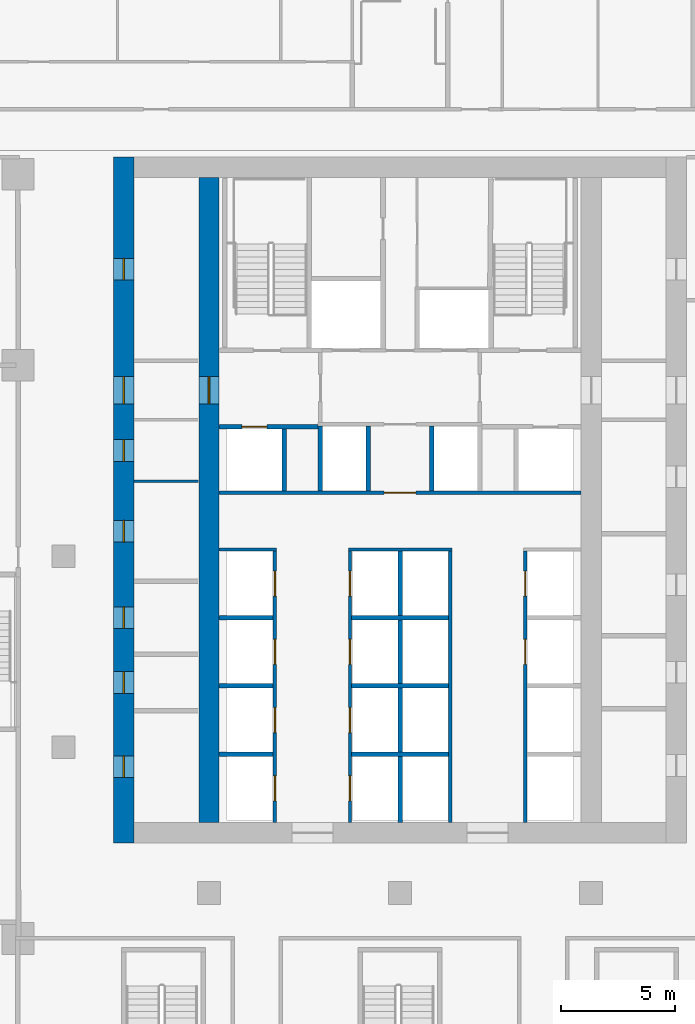
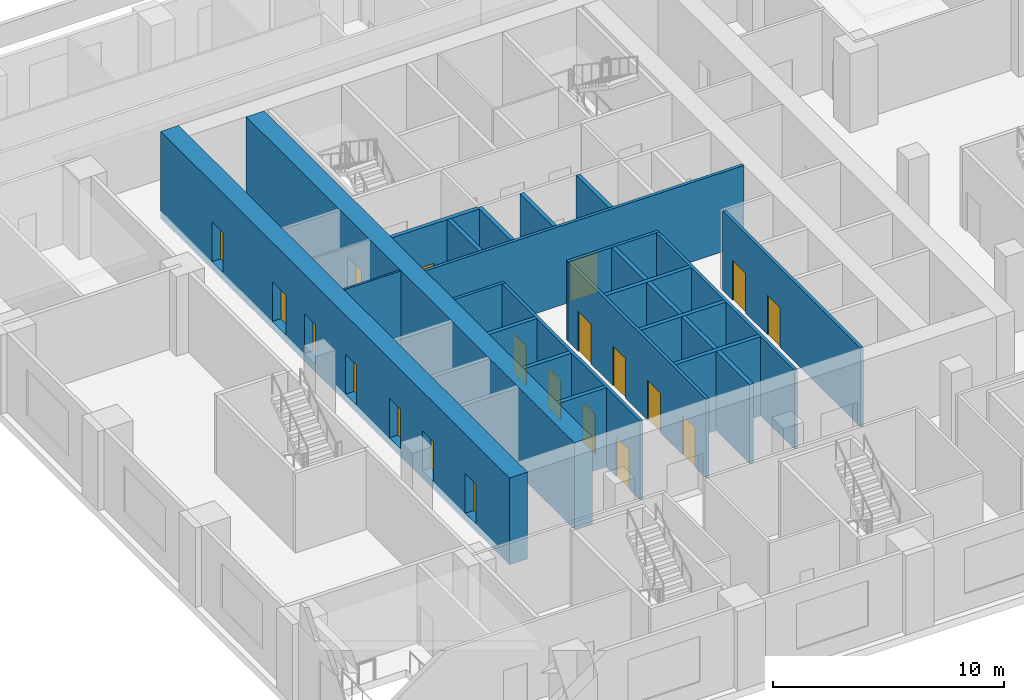
# One storey, part 4 of 16: 22 walls, 20 doors, 20 openings.
"""IFC4 building model written with IfcOpenShell, lengths in metres."""

import ifcopenshell
import ifcopenshell.guid

model = None  # the IFC model being written
_history = None  # IfcOwnerHistory: only IFC2X3 demands one
_inside = {}  # id of a spatial element -> (the spatial element, [elements in it])
_under = {}  # id of a project, library or spatial element -> (it, [spatial elements below it])
_declared = {}  # id of a project -> (the project, [libraries it declares])
_typed = {}  # id of a type object -> (the type object, [elements of that type])
_made_of = {}  # id of a material, layer set ... -> (it, [elements and type objects made of it])


def new_model(schema):
    """Start an empty IFC model of exactly this schema.

    Asked for "IFC4X3", IfcOpenShell would pick the latest addendum, in which some entities
    have other attributes; the version numbers below select the first issue.
    IFC2X3 requires an IfcOwnerHistory on every rooted entity: one is made here for all.
    """
    global model, _history
    if schema == "IFC4X3":
        model = ifcopenshell.file(schema_version=(4, 3, 0, 0))
    else:
        model = ifcopenshell.file(schema=schema)
    _inside.clear()
    _under.clear()
    _declared.clear()
    _typed.clear()
    _made_of.clear()
    _history = None
    if model.schema == "IFC2X3":
        org = make("IfcOrganization", Name="unknown")
        user = make(
            "IfcPersonAndOrganization",
            ThePerson=make("IfcPerson", FamilyName="unknown"),
            TheOrganization=org,
        )
        app = make(
            "IfcApplication",
            ApplicationDeveloper=org,
            Version="unknown",
            ApplicationFullName="unknown",
            ApplicationIdentifier="unknown",
        )
        _history = make(
            "IfcOwnerHistory",
            OwningUser=user,
            OwningApplication=app,
            ChangeAction="ADDED",
            CreationDate=0,
        )
    return model


def make(cls, **values):
    """One entity of the class cls with the attributes given. An attribute that is None is left unset."""
    return model.create_entity(
        cls, **{name: value for name, value in values.items() if value is not None}
    )


def rooted(cls, **values):
    """An entity with a GlobalId (a new one), such as an element, a storey or a relation."""
    return make(cls, GlobalId=ifcopenshell.guid.new(), OwnerHistory=_history, **values)


def si_unit(unit_type, name, prefix=None):
    """IfcSIUnit, for example si_unit("LENGTHUNIT", "METRE", prefix="MILLI")."""
    return make("IfcSIUnit", UnitType=unit_type, Prefix=prefix, Name=name)


def assignment(units):
    """IfcUnitAssignment: the units of a project."""
    return None if units is None else make("IfcUnitAssignment", Units=units)


def point(xyz):
    """IfcCartesianPoint."""
    return None if xyz is None else make("IfcCartesianPoint", Coordinates=xyz)


def direction(xyz):
    """IfcDirection."""
    return None if xyz is None else make("IfcDirection", DirectionRatios=xyz)


def frame(location, z_axis=None, x_axis=None):
    """IfcAxis2Placement3D, a coordinate frame: its origin and axes. An axis left out is left unset."""
    return make(
        "IfcAxis2Placement3D",
        Location=point(location),
        Axis=direction(z_axis),
        RefDirection=direction(x_axis),
    )


def frame_2d(location, x_axis=None):
    """IfcAxis2Placement2D, a coordinate frame in the plane: its origin and x axis."""
    return make(
        "IfcAxis2Placement2D", Location=point(location), RefDirection=direction(x_axis)
    )


def origin():
    """The frame at (0, 0, 0) with its axes left unset."""
    return frame((0.0, 0.0, 0.0))


def place(relative_to, where):
    """IfcLocalPlacement: puts the frame where relative to a parent placement (None: the world)."""
    return make(
        "IfcLocalPlacement", PlacementRelTo=relative_to, RelativePlacement=where
    )


def context(
    kind, dimensions, precision=None, world=None, true_north=None, identifier=None
):
    """IfcGeometricRepresentationContext, for example the 3D "Model" context."""
    return make(
        "IfcGeometricRepresentationContext",
        ContextIdentifier=identifier,
        ContextType=kind,
        CoordinateSpaceDimension=dimensions,
        Precision=precision,
        WorldCoordinateSystem=world,
        TrueNorth=true_north,
    )


def subcontext(parent, identifier, kind, view, scale=None):
    """IfcGeometricRepresentationSubContext, for example "Body" below "Model"."""
    return make(
        "IfcGeometricRepresentationSubContext",
        ContextIdentifier=identifier,
        ContextType=kind,
        ParentContext=parent,
        TargetScale=scale,
        TargetView=view,
    )


def project(units=None, contexts=None):
    """IfcProject with its units and contexts."""
    return rooted(
        "IfcProject",
        Name="project",
        RepresentationContexts=contexts,
        UnitsInContext=assignment(units),
    )


def spatial(cls, under=None, at=None, **own):
    """A site, building, storey or space (cls), placed at a placement, below another one or the project."""
    s = rooted(cls, ObjectPlacement=at, **own)
    if under is not None:
        _under.setdefault(under.id(), (under, []))[1].append(s)
    return s


def profile(cls, at=None, kind="AREA", **sizes):
    """A parametric profile (cls). Its sizes go by their IFC names, for example OverallWidth=200.0."""
    return make(cls, ProfileType=kind, Position=at, **sizes)


def rectangle(**sizes):
    """IfcRectangleProfileDef."""
    return profile("IfcRectangleProfileDef", **sizes)


def extrude(swept, where, along, depth):
    """IfcExtrudedAreaSolid: the profile swept, set in the frame where, extruded along a direction by depth."""
    return make(
        "IfcExtrudedAreaSolid",
        SweptArea=swept,
        Position=where,
        ExtrudedDirection=direction(along),
        Depth=depth,
    )


def shape(context_of_items, identifier, shape_type, items):
    """IfcShapeRepresentation: the items that make up one representation, for example the "Body"."""
    return make(
        "IfcShapeRepresentation",
        ContextOfItems=context_of_items,
        RepresentationIdentifier=identifier,
        RepresentationType=shape_type,
        Items=items,
    )


def material(Name=None, Category=None):
    """IfcMaterial."""
    return make("IfcMaterial", Name=Name, Category=Category)


def layer(
    of_material, thickness, ventilated=None, Name=None, Category=None, Priority=None
):
    """IfcMaterialLayer: one layer of a wall or slab, of a material (None: an air gap)."""
    return make(
        "IfcMaterialLayer",
        Material=of_material,
        LayerThickness=thickness,
        IsVentilated=ventilated,
        Name=Name,
        Category=Category,
        Priority=Priority,
    )


def layer_set(layers, Name=None):
    """IfcMaterialLayerSet."""
    return make("IfcMaterialLayerSet", MaterialLayers=layers, LayerSetName=Name)


def made_of(thing, what):
    """Note that an element or type object is made of a material, layer set ...; save() writes the relation."""
    if what is not None:
        _made_of.setdefault(what.id(), (what, []))[1].append(thing)
    return thing


def type_object(cls, material=None, **own):
    """A type object (cls), such as IfcWallType, which elements share."""
    return made_of(rooted(cls, **own), material)


def element(
    cls,
    number,
    at=None,
    inside=None,
    cuts=None,
    type_object=None,
    material=None,
    context=None,
    identifier="Body",
    shape_type=None,
    held_by="IfcProductDefinitionShape",
    body=None,
    shapes=None,
    **own,
):
    """One element of the class cls, such as IfcWall. Its Tag is "e" and its number.

    at: its placement. inside: the storey or other place that contains it. cuts: it is an
    opening in that element (IfcRelVoidsElement). A single representation is given by context,
    identifier, shape_type and body (its items); several are given by shapes. held_by: the class
    of the entity that holds the representations. save() writes the other relations.
    """
    e = rooted(cls, Tag="e%d" % number, ObjectPlacement=at, **own)
    if body is not None:
        shapes = [shape(context, identifier, shape_type, body)]
    if shapes is not None:
        e.Representation = make(held_by, Representations=shapes)
    if inside is not None:
        _inside.setdefault(inside.id(), (inside, []))[1].append(e)
    if cuts is not None:
        rooted(
            "IfcRelVoidsElement", RelatingBuildingElement=cuts, RelatedOpeningElement=e
        )
    if type_object is not None:
        _typed.setdefault(type_object.id(), (type_object, []))[1].append(e)
    return made_of(e, material)


def fill(opening, filler):
    """IfcRelFillsElement: the door or window that sits in an opening."""
    return rooted(
        "IfcRelFillsElement",
        RelatingOpeningElement=opening,
        RelatedBuildingElement=filler,
    )


def aggregate(whole, parts):
    """IfcRelAggregates: a whole, such as a stair, and the parts it consists of."""
    return rooted("IfcRelAggregates", RelatingObject=whole, RelatedObjects=parts)


def save(model, path):
    """Write the relations noted so far, then the file.

    IfcRelAggregates (storeys below a building ...), IfcRelContainedInSpatialStructure (elements
    in a storey), IfcRelDefinesByType, IfcRelAssociatesMaterial and IfcRelDeclares: one each for
    every whole, place, type object, material and project.
    """
    for whole, parts in _under.values():
        aggregate(whole, parts)
    for where, things in _inside.values():
        rooted(
            "IfcRelContainedInSpatialStructure",
            RelatedElements=things,
            RelatingStructure=where,
        )
    for kind, things in _typed.values():
        rooted("IfcRelDefinesByType", RelatedObjects=things, RelatingType=kind)
    for what, things in _made_of.values():
        rooted("IfcRelAssociatesMaterial", RelatedObjects=things, RelatingMaterial=what)
    for by, libraries in _declared.values():
        rooted("IfcRelDeclares", RelatingContext=by, RelatedDefinitions=libraries)
    model.write(path)


model = new_model("IFC4")

# Units and contexts
model_context = context("Model", 3, precision=1e-05, world=origin(), true_north=direction((0.0, 1.0)))
body_context = subcontext(model_context, "Body", "Model", "MODEL_VIEW")
ifc_project = project(units=[si_unit("LENGTHUNIT", "METRE"), si_unit("AREAUNIT", "SQUARE_METRE"), si_unit("VOLUMEUNIT", "CUBIC_METRE"), si_unit("PLANEANGLEUNIT", "RADIAN"), si_unit("MASSUNIT", "GRAM", prefix="KILO")], contexts=[model_context])

# Site, building, storey
site_placement = place(None, origin())
site = spatial("IfcSite", under=ifc_project, at=site_placement, CompositionType="ELEMENT")
building_placement = place(site_placement, origin())
building = spatial("IfcBuilding", under=site, at=building_placement, Name="Vermilion Ogive Tower", CompositionType="ELEMENT")
storey_placement = place(building_placement, frame((0.0, 0.0, 30.0)))
storey = spatial("IfcBuildingStorey", under=building, at=storey_placement, Name="L05", CompositionType="ELEMENT", Elevation=30.0)

# Wall, openings, doors
ifc_material_1 = material(Name="Concrete B80", Category="concrete")
ifc_layer_1 = layer(ifc_material_1, 0.89990234375)
ifc_layer_set_1 = layer_set([ifc_layer_1], Name="Core wall 900 B80")
wall_type_1 = type_object("IfcWallType", Name="Core wall 900 B80", PredefinedType="SHEAR", material=ifc_layer_set_1)
wall_1_placement = place(storey_placement, frame((-12.14990234375, -8.39990234375, -0.39990234375), z_axis=(0.0, 0.0, 1.0), x_axis=(0.0, 1.0, 0.0)))
wall_1 = element("IfcWall", 1, at=wall_1_placement, inside=storey, type_object=wall_type_1, Name="L05-CORE-W", PredefinedType="SHEAR", context=body_context, shape_type="SweptSolid", body=[
    extrude(rectangle(XDim=30.14990234375, YDim=0.89990234375, at=frame_2d((15.074951171875, 0.0))), origin(), (0.0, 0.0, 1.0), 4.579833984375),
])
opening_1_placement = place(wall_1_placement, frame((2.875, 0.0, 0.39990234375)))
opening_1 = element("IfcOpeningElement", 2, at=opening_1_placement, cuts=wall_1, Name="Opening DAK028", PredefinedType="OPENING", context=body_context, shape_type="SweptSolid", body=[
    extrude(rectangle(XDim=0.949951171875, YDim=2.10009765625, at=frame_2d((0.47509765625, 1.050048828125))), frame((0.0, 0.4599609375, 0.0), z_axis=(0.0, -1.0, 0.0), x_axis=(1.0, 0.0, 0.0)), (0.0, 0.0, 1.0), 0.919921875),
])
opening_2_placement = place(wall_1_placement, frame((6.574951171875, 0.0, 0.39990234375)))
opening_2 = element("IfcOpeningElement", 3, at=opening_2_placement, cuts=wall_1, Name="Opening DAK029", PredefinedType="OPENING", context=body_context, shape_type="SweptSolid", body=[
    extrude(rectangle(XDim=0.949951171875, YDim=2.10009765625, at=frame_2d((0.47509765625, 1.050048828125))), frame((0.0, 0.4599609375, 0.0), z_axis=(0.0, -1.0, 0.0), x_axis=(1.0, 0.0, 0.0)), (0.0, 0.0, 1.0), 0.919921875),
])
opening_3_placement = place(wall_1_placement, frame((9.425048828125, 0.0, 0.39990234375)))
opening_3 = element("IfcOpeningElement", 4, at=opening_3_placement, cuts=wall_1, Name="Opening DAK030", PredefinedType="OPENING", context=body_context, shape_type="SweptSolid", body=[
    extrude(rectangle(XDim=0.949951171875, YDim=2.10009765625, at=frame_2d((0.47509765625, 1.050048828125))), frame((0.0, 0.4599609375, 0.0), z_axis=(0.0, -1.0, 0.0), x_axis=(1.0, 0.0, 0.0)), (0.0, 0.0, 1.0), 0.919921875),
])
opening_4_placement = place(wall_1_placement, frame((13.22509765625, 0.0, 0.39990234375)))
opening_4 = element("IfcOpeningElement", 5, at=opening_4_placement, cuts=wall_1, Name="Opening DAK031", PredefinedType="OPENING", context=body_context, shape_type="SweptSolid", body=[
    extrude(rectangle(XDim=0.949951171875, YDim=2.10009765625, at=frame_2d((0.47509765625, 1.050048828125))), frame((0.0, 0.4599609375, 0.0), z_axis=(0.0, -1.0, 0.0), x_axis=(1.0, 0.0, 0.0)), (0.0, 0.0, 1.0), 0.919921875),
])
opening_5_placement = place(wall_1_placement, frame((16.77490234375, 0.0, 0.39990234375)))
opening_5 = element("IfcOpeningElement", 6, at=opening_5_placement, cuts=wall_1, Name="Opening DAK032", PredefinedType="OPENING", context=body_context, shape_type="SweptSolid", body=[
    extrude(rectangle(XDim=0.949951171875, YDim=2.10009765625, at=frame_2d((0.47509765625, 1.050048828125))), frame((0.0, 0.4599609375, 0.0), z_axis=(0.0, -1.0, 0.0), x_axis=(1.0, 0.0, 0.0)), (0.0, 0.0, 1.0), 0.919921875),
])
opening_6_placement = place(wall_1_placement, frame((24.75, 0.0, 0.39990234375)))
opening_6 = element("IfcOpeningElement", 7, at=opening_6_placement, cuts=wall_1, Name="Opening DAK033", PredefinedType="OPENING", context=body_context, shape_type="SweptSolid", body=[
    extrude(rectangle(XDim=0.949951171875, YDim=2.10009765625, at=frame_2d((0.47509765625, 1.050048828125))), frame((0.0, 0.4599609375, 0.0), z_axis=(0.0, -1.0, 0.0), x_axis=(1.0, 0.0, 0.0)), (0.0, 0.0, 1.0), 0.919921875),
])
opening_7_placement = place(wall_1_placement, frame((19.300048828125, 0.0, 0.39990234375)))
opening_7 = element("IfcOpeningElement", 8, at=opening_7_placement, cuts=wall_1, Name="Opening DBB006", PredefinedType="OPENING", context=body_context, shape_type="SweptSolid", body=[
    extrude(rectangle(XDim=1.199951171875, YDim=2.10009765625, at=frame_2d((0.60009765625, 1.050048828125))), frame((0.0, 0.4599609375, 0.0), z_axis=(0.0, -1.0, 0.0), x_axis=(1.0, 0.0, 0.0)), (0.0, 0.0, 1.0), 0.919921875),
])
ifc_material_2 = material(Name="Timber door leaf", Category="wood")
door_type_1 = type_object("IfcDoorType", Name="Link door 1200 x 2100 FD60S", OperationType="SINGLE_SWING_LEFT", PredefinedType="DOOR", material=ifc_material_2)
door_1_placement = place(opening_7_placement, origin())
door_1 = element("IfcDoor", 9, at=door_1_placement, inside=storey, type_object=door_type_1, Name="L05-CKW-XL", OperationType="SINGLE_SWING_LEFT", OverallHeight=2.10009765625, OverallWidth=1.199951171875, PredefinedType="DOOR", context=body_context, shape_type="SweptSolid", body=[
    extrude(rectangle(XDim=1.199951171875, YDim=2.10009765625, at=frame_2d((0.60009765625, 1.050048828125))), frame((0.0, 0.02490234375, 0.0), z_axis=(0.0, -1.0, 0.0), x_axis=(1.0, 0.0, 0.0)), (0.0, 0.0, 1.0), 0.050048828125),
])
fill(opening_7, door_1)
ifc_material_3 = material(Name="Timber door leaf", Category="wood")
door_type_2 = type_object("IfcDoorType", Name="Service door 950 x 2100 FD60", OperationType="SINGLE_SWING_LEFT", PredefinedType="DOOR", material=ifc_material_3)
door_2_placement = place(opening_1_placement, origin())
door_2 = element("IfcDoor", 10, at=door_2_placement, inside=storey, type_object=door_type_2, Name="L05-CKW-XR0", OperationType="SINGLE_SWING_LEFT", OverallHeight=2.10009765625, OverallWidth=0.949951171875, PredefinedType="DOOR", context=body_context, shape_type="SweptSolid", body=[
    extrude(rectangle(XDim=0.949951171875, YDim=2.10009765625, at=frame_2d((0.47509765625, 1.050048828125))), frame((0.0, 0.02490234375, 0.0), z_axis=(0.0, -1.0, 0.0), x_axis=(1.0, 0.0, 0.0)), (0.0, 0.0, 1.0), 0.050048828125),
])
fill(opening_1, door_2)
door_3_placement = place(opening_2_placement, origin())
door_3 = element("IfcDoor", 11, at=door_3_placement, inside=storey, type_object=door_type_2, Name="L05-CKW-XR1", OperationType="SINGLE_SWING_LEFT", OverallHeight=2.10009765625, OverallWidth=0.949951171875, PredefinedType="DOOR", context=body_context, shape_type="SweptSolid", body=[
    extrude(rectangle(XDim=0.949951171875, YDim=2.10009765625, at=frame_2d((0.47509765625, 1.050048828125))), frame((0.0, 0.02490234375, 0.0), z_axis=(0.0, -1.0, 0.0), x_axis=(1.0, 0.0, 0.0)), (0.0, 0.0, 1.0), 0.050048828125),
])
fill(opening_2, door_3)
door_4_placement = place(opening_3_placement, origin())
door_4 = element("IfcDoor", 12, at=door_4_placement, inside=storey, type_object=door_type_2, Name="L05-CKW-XR2", OperationType="SINGLE_SWING_LEFT", OverallHeight=2.10009765625, OverallWidth=0.949951171875, PredefinedType="DOOR", context=body_context, shape_type="SweptSolid", body=[
    extrude(rectangle(XDim=0.949951171875, YDim=2.10009765625, at=frame_2d((0.47509765625, 1.050048828125))), frame((0.0, 0.02490234375, 0.0), z_axis=(0.0, -1.0, 0.0), x_axis=(1.0, 0.0, 0.0)), (0.0, 0.0, 1.0), 0.050048828125),
])
fill(opening_3, door_4)
door_5_placement = place(opening_4_placement, origin())
door_5 = element("IfcDoor", 13, at=door_5_placement, inside=storey, type_object=door_type_2, Name="L05-CKW-XR3", OperationType="SINGLE_SWING_LEFT", OverallHeight=2.10009765625, OverallWidth=0.949951171875, PredefinedType="DOOR", context=body_context, shape_type="SweptSolid", body=[
    extrude(rectangle(XDim=0.949951171875, YDim=2.10009765625, at=frame_2d((0.47509765625, 1.050048828125))), frame((0.0, 0.02490234375, 0.0), z_axis=(0.0, -1.0, 0.0), x_axis=(1.0, 0.0, 0.0)), (0.0, 0.0, 1.0), 0.050048828125),
])
fill(opening_4, door_5)
door_6_placement = place(opening_5_placement, origin())
door_6 = element("IfcDoor", 14, at=door_6_placement, inside=storey, type_object=door_type_2, Name="L05-CKW-XR4", OperationType="SINGLE_SWING_LEFT", OverallHeight=2.10009765625, OverallWidth=0.949951171875, PredefinedType="DOOR", context=body_context, shape_type="SweptSolid", body=[
    extrude(rectangle(XDim=0.949951171875, YDim=2.10009765625, at=frame_2d((0.47509765625, 1.050048828125))), frame((0.0, 0.02490234375, 0.0), z_axis=(0.0, -1.0, 0.0), x_axis=(1.0, 0.0, 0.0)), (0.0, 0.0, 1.0), 0.050048828125),
])
fill(opening_5, door_6)
door_7_placement = place(opening_6_placement, origin())
door_7 = element("IfcDoor", 15, at=door_7_placement, inside=storey, type_object=door_type_2, Name="L05-CKW-XR5", OperationType="SINGLE_SWING_LEFT", OverallHeight=2.10009765625, OverallWidth=0.949951171875, PredefinedType="DOOR", context=body_context, shape_type="SweptSolid", body=[
    extrude(rectangle(XDim=0.949951171875, YDim=2.10009765625, at=frame_2d((0.47509765625, 1.050048828125))), frame((0.0, 0.02490234375, 0.0), z_axis=(0.0, -1.0, 0.0), x_axis=(1.0, 0.0, 0.0)), (0.0, 0.0, 1.0), 0.050048828125),
])
fill(opening_6, door_7)

# Wall, opening, door
wall_2_placement = place(storey_placement, frame((-8.39990234375, -7.5, -0.39990234375), z_axis=(0.0, 0.0, 1.0), x_axis=(0.0, 1.0, 0.0)))
wall_2 = element("IfcWall", 16, at=wall_2_placement, inside=storey, type_object=wall_type_1, Name="L05-CORE-WEB1", PredefinedType="SHEAR", context=body_context, shape_type="SweptSolid", body=[
    extrude(rectangle(XDim=28.35009765625, YDim=0.89990234375, at=frame_2d((14.175048828125, 0.0))), origin(), (0.0, 0.0, 1.0), 4.579833984375),
])
opening_8_placement = place(wall_2_placement, frame((18.39990234375, 0.0, 0.39990234375)))
opening_8 = element("IfcOpeningElement", 17, at=opening_8_placement, cuts=wall_2, Name="Opening DBD006", PredefinedType="OPENING", context=body_context, shape_type="SweptSolid", body=[
    extrude(rectangle(XDim=1.199951171875, YDim=2.10009765625, at=frame_2d((0.60009765625, 1.050048828125))), frame((0.0, 0.4599609375, 0.0), z_axis=(0.0, -1.0, 0.0), x_axis=(1.0, 0.0, 0.0)), (0.0, 0.0, 1.0), 0.919921875),
])
door_8_placement = place(opening_8_placement, origin())
door_8 = element("IfcDoor", 18, at=door_8_placement, inside=storey, type_object=door_type_1, Name="L05-CKW-XW", OperationType="SINGLE_SWING_LEFT", OverallHeight=2.10009765625, OverallWidth=1.199951171875, PredefinedType="DOOR", context=body_context, shape_type="SweptSolid", body=[
    extrude(rectangle(XDim=1.199951171875, YDim=2.10009765625, at=frame_2d((0.60009765625, 1.050048828125))), frame((0.0, 0.02490234375, 0.0), z_axis=(0.0, -1.0, 0.0), x_axis=(1.0, 0.0, 0.0)), (0.0, 0.0, 1.0), 0.050048828125),
])
fill(opening_8, door_8)

# Walls
ifc_material_4 = material(Name="Gypsum board partition on steel studs", Category="steel")
ifc_layer_2 = layer(ifc_material_4, 0.10009765625)
ifc_layer_set_2 = layer_set([ifc_layer_2], Name="Partition 100 bath")
wall_type_2 = type_object("IfcWallType", Name="Partition 100 bath", PredefinedType="PARTITIONING", material=ifc_layer_set_2)
wall_3_placement = place(storey_placement, frame((-11.698974609375, 7.5, 0.0), z_axis=(0.0, 0.0, 1.0), x_axis=(1.0, 0.0, 0.0)))
element("IfcWall", 19, at=wall_3_placement, inside=storey, type_object=wall_type_2, Name="L05-CKW-W-W004", PredefinedType="PARTITIONING", context=body_context, shape_type="SweptSolid", body=[
    extrude(rectangle(XDim=2.847900390625, YDim=0.10009765625, at=frame_2d((1.423828125, 0.0))), origin(), (0.0, 0.0, 1.0), 4.179931640625),
])
ifc_material_5 = material(Name="Gypsum board partition on steel studs", Category="steel")
ifc_layer_3 = layer(ifc_material_5, 0.14990234375)
ifc_layer_set_3 = layer_set([ifc_layer_3], Name="Partition 150 corridor")
wall_type_3 = type_object("IfcWallType", Name="Partition 150 corridor", PredefinedType="PARTITIONING", material=ifc_layer_set_3)
wall_4_placement = place(storey_placement, frame((-7.948974609375, 4.5, 0.0), z_axis=(0.0, 0.0, 1.0), x_axis=(1.0, 0.0, 0.0)))
element("IfcWall", 20, at=wall_4_placement, inside=storey, type_object=wall_type_3, Name="L05-CK-W-W010", PredefinedType="PARTITIONING", context=body_context, shape_type="SweptSolid", body=[
    extrude(rectangle(XDim=2.52392578125, YDim=0.14990234375, at=frame_2d((1.261962890625, 0.0))), origin(), (0.0, 0.0, 1.0), 4.179931640625),
])
wall_5_placement = place(storey_placement, frame((-2.27490234375, 4.5, 0.0), z_axis=(0.0, 0.0, 1.0), x_axis=(1.0, 0.0, 0.0)))
element("IfcWall", 21, at=wall_5_placement, inside=storey, type_object=wall_type_3, Name="L05-CK-W-W011", PredefinedType="PARTITIONING", context=body_context, shape_type="SweptSolid", body=[
    extrude(rectangle(XDim=4.5498046875, YDim=0.14990234375, at=frame_2d((2.27490234375, 0.0))), origin(), (0.0, 0.0, 1.0), 4.179931640625),
])

# Wall, opening, door
wall_6_placement = place(storey_placement, frame((-7.948974609375, 7.0, 0.0), z_axis=(0.0, 0.0, 1.0), x_axis=(1.0, 0.0, 0.0)))
wall_6 = element("IfcWall", 22, at=wall_6_placement, inside=storey, type_object=wall_type_3, Name="L05-CK-W-W013", PredefinedType="PARTITIONING", context=body_context, shape_type="SweptSolid", body=[
    extrude(rectangle(XDim=15.89794921875, YDim=0.14990234375, at=frame_2d((7.948974609375, 0.0))), origin(), (0.0, 0.0, 1.0), 4.179931640625),
])
opening_9_placement = place(wall_6_placement, frame((7.2490234375, 0.0, 0.0)))
opening_9 = element("IfcOpeningElement", 23, at=opening_9_placement, cuts=wall_6, Name="Opening DAB126", PredefinedType="OPENING", context=body_context, shape_type="SweptSolid", body=[
    extrude(rectangle(XDim=1.39990234375, YDim=2.10009765625, at=frame_2d((0.699951171875, 1.050048828125))), frame((0.0, 0.0849609375, 0.0), z_axis=(0.0, -1.0, 0.0), x_axis=(1.0, 0.0, 0.0)), (0.0, 0.0, 1.0), 0.169921875),
])
ifc_material_6 = material(Name="Timber door leaf", Category="wood")
door_type_3 = type_object("IfcDoorType", Name="Lobby door 1400 x 2100 FD60S", OperationType="SINGLE_SWING_LEFT", PredefinedType="DOOR", material=ifc_material_6)
door_9_placement = place(opening_9_placement, origin())
door_9 = element("IfcDoor", 24, at=door_9_placement, inside=storey, type_object=door_type_3, Name="L05-CK-D-D015", OperationType="SINGLE_SWING_RIGHT", OverallHeight=2.10009765625, OverallWidth=1.39990234375, PredefinedType="DOOR", context=body_context, shape_type="SweptSolid", body=[
    extrude(rectangle(XDim=1.39990234375, YDim=2.10009765625, at=frame_2d((0.699951171875, 1.050048828125))), frame((0.0, 0.02490234375, 0.0), z_axis=(0.0, -1.0, 0.0), x_axis=(1.0, 0.0, 0.0)), (0.0, 0.0, 1.0), 0.050048828125),
])
fill(opening_9, door_9)

# Wall, openings, doors
wall_7_placement = place(storey_placement, frame((-5.5, -7.4990234375, 0.0), z_axis=(0.0, 0.0, 1.0), x_axis=(0.0, 1.0, 0.0)))
wall_7 = element("IfcWall", 25, at=wall_7_placement, inside=storey, type_object=wall_type_3, Name="L05-CK-W-W022", PredefinedType="PARTITIONING", context=body_context, shape_type="SweptSolid", body=[
    extrude(rectangle(XDim=11.924072265625, YDim=0.14990234375, at=frame_2d((5.9619140625, 0.0))), origin(), (0.0, 0.0, 1.0), 4.179931640625),
])
opening_10_placement = place(wall_7_placement, frame((0.948974609375, 0.0, 0.0)))
opening_10 = element("IfcOpeningElement", 26, at=opening_10_placement, cuts=wall_7, Name="Opening DAB133", PredefinedType="OPENING", context=body_context, shape_type="SweptSolid", body=[
    extrude(rectangle(XDim=1.10009765625, YDim=2.10009765625, at=frame_2d((0.550048828125, 1.050048828125))), frame((0.0, 0.0849609375, 0.0), z_axis=(0.0, -1.0, 0.0), x_axis=(1.0, 0.0, 0.0)), (0.0, 0.0, 1.0), 0.169921875),
])
opening_11_placement = place(wall_7_placement, frame((3.948974609375, 0.0, 0.0)))
opening_11 = element("IfcOpeningElement", 27, at=opening_11_placement, cuts=wall_7, Name="Opening DAB138", PredefinedType="OPENING", context=body_context, shape_type="SweptSolid", body=[
    extrude(rectangle(XDim=1.10009765625, YDim=2.10009765625, at=frame_2d((0.550048828125, 1.050048828125))), frame((0.0, 0.0849609375, 0.0), z_axis=(0.0, -1.0, 0.0), x_axis=(1.0, 0.0, 0.0)), (0.0, 0.0, 1.0), 0.169921875),
])
opening_12_placement = place(wall_7_placement, frame((6.948974609375, 0.0, 0.0)))
opening_12 = element("IfcOpeningElement", 28, at=opening_12_placement, cuts=wall_7, Name="Opening DAB139", PredefinedType="OPENING", context=body_context, shape_type="SweptSolid", body=[
    extrude(rectangle(XDim=1.10009765625, YDim=2.10009765625, at=frame_2d((0.550048828125, 1.050048828125))), frame((0.0, 0.0849609375, 0.0), z_axis=(0.0, -1.0, 0.0), x_axis=(1.0, 0.0, 0.0)), (0.0, 0.0, 1.0), 0.169921875),
])
opening_13_placement = place(wall_7_placement, frame((9.948974609375, 0.0, 0.0)))
opening_13 = element("IfcOpeningElement", 29, at=opening_13_placement, cuts=wall_7, Name="Opening DAB140", PredefinedType="OPENING", context=body_context, shape_type="SweptSolid", body=[
    extrude(rectangle(XDim=1.10009765625, YDim=2.10009765625, at=frame_2d((0.550048828125, 1.050048828125))), frame((0.0, 0.0849609375, 0.0), z_axis=(0.0, -1.0, 0.0), x_axis=(1.0, 0.0, 0.0)), (0.0, 0.0, 1.0), 0.169921875),
])
ifc_material_7 = material(Name="Stainless steel", Category="steel")
door_type_4 = type_object("IfcDoorType", Name="Lift landing door 1100 x 2100", OperationType="SLIDING_TO_LEFT", PredefinedType="DOOR", material=ifc_material_7)
door_10_placement = place(opening_10_placement, origin())
door_10 = element("IfcDoor", 30, at=door_10_placement, inside=storey, type_object=door_type_4, Name="L05-CK-D-D001", OperationType="SLIDING_TO_RIGHT", OverallHeight=2.10009765625, OverallWidth=1.10009765625, PredefinedType="DOOR", context=body_context, shape_type="SweptSolid", body=[
    extrude(rectangle(XDim=1.10009765625, YDim=2.10009765625, at=frame_2d((0.550048828125, 1.050048828125))), frame((0.0, 0.02490234375, 0.0), z_axis=(0.0, -1.0, 0.0), x_axis=(1.0, 0.0, 0.0)), (0.0, 0.0, 1.0), 0.050048828125),
])
fill(opening_10, door_10)
door_11_placement = place(opening_11_placement, origin())
door_11 = element("IfcDoor", 31, at=door_11_placement, inside=storey, type_object=door_type_4, Name="L05-CK-D-D002", OperationType="SLIDING_TO_RIGHT", OverallHeight=2.10009765625, OverallWidth=1.10009765625, PredefinedType="DOOR", context=body_context, shape_type="SweptSolid", body=[
    extrude(rectangle(XDim=1.10009765625, YDim=2.10009765625, at=frame_2d((0.550048828125, 1.050048828125))), frame((0.0, 0.02490234375, 0.0), z_axis=(0.0, -1.0, 0.0), x_axis=(1.0, 0.0, 0.0)), (0.0, 0.0, 1.0), 0.050048828125),
])
fill(opening_11, door_11)
door_12_placement = place(opening_12_placement, origin())
door_12 = element("IfcDoor", 32, at=door_12_placement, inside=storey, type_object=door_type_4, Name="L05-CK-D-D003", OperationType="SLIDING_TO_RIGHT", OverallHeight=2.10009765625, OverallWidth=1.10009765625, PredefinedType="DOOR", context=body_context, shape_type="SweptSolid", body=[
    extrude(rectangle(XDim=1.10009765625, YDim=2.10009765625, at=frame_2d((0.550048828125, 1.050048828125))), frame((0.0, 0.02490234375, 0.0), z_axis=(0.0, -1.0, 0.0), x_axis=(1.0, 0.0, 0.0)), (0.0, 0.0, 1.0), 0.050048828125),
])
fill(opening_12, door_12)
door_13_placement = place(opening_13_placement, origin())
door_13 = element("IfcDoor", 33, at=door_13_placement, inside=storey, type_object=door_type_4, Name="L05-CK-D-D004", OperationType="SLIDING_TO_RIGHT", OverallHeight=2.10009765625, OverallWidth=1.10009765625, PredefinedType="DOOR", context=body_context, shape_type="SweptSolid", body=[
    extrude(rectangle(XDim=1.10009765625, YDim=2.10009765625, at=frame_2d((0.550048828125, 1.050048828125))), frame((0.0, 0.02490234375, 0.0), z_axis=(0.0, -1.0, 0.0), x_axis=(1.0, 0.0, 0.0)), (0.0, 0.0, 1.0), 0.050048828125),
])
fill(opening_13, door_13)

wall_8_placement = place(storey_placement, frame((-2.199951171875, -7.4990234375, 0.0), z_axis=(0.0, 0.0, 1.0), x_axis=(0.0, 1.0, 0.0)))
wall_8 = element("IfcWall", 34, at=wall_8_placement, inside=storey, type_object=wall_type_3, Name="L05-CK-W-W027", PredefinedType="PARTITIONING", context=body_context, shape_type="SweptSolid", body=[
    extrude(rectangle(XDim=11.924072265625, YDim=0.14990234375, at=frame_2d((5.9619140625, 0.0))), origin(), (0.0, 0.0, 1.0), 4.179931640625),
])
opening_14_placement = place(wall_8_placement, frame((0.948974609375, 0.0, 0.0)))
opening_14 = element("IfcOpeningElement", 35, at=opening_14_placement, cuts=wall_8, Name="Opening DAB141", PredefinedType="OPENING", context=body_context, shape_type="SweptSolid", body=[
    extrude(rectangle(XDim=1.10009765625, YDim=2.10009765625, at=frame_2d((0.550048828125, 1.050048828125))), frame((0.0, 0.0849609375, 0.0), z_axis=(0.0, -1.0, 0.0), x_axis=(1.0, 0.0, 0.0)), (0.0, 0.0, 1.0), 0.169921875),
])
opening_15_placement = place(wall_8_placement, frame((3.948974609375, 0.0, 0.0)))
opening_15 = element("IfcOpeningElement", 36, at=opening_15_placement, cuts=wall_8, Name="Opening DAB142", PredefinedType="OPENING", context=body_context, shape_type="SweptSolid", body=[
    extrude(rectangle(XDim=1.10009765625, YDim=2.10009765625, at=frame_2d((0.550048828125, 1.050048828125))), frame((0.0, 0.0849609375, 0.0), z_axis=(0.0, -1.0, 0.0), x_axis=(1.0, 0.0, 0.0)), (0.0, 0.0, 1.0), 0.169921875),
])
opening_16_placement = place(wall_8_placement, frame((6.948974609375, 0.0, 0.0)))
opening_16 = element("IfcOpeningElement", 37, at=opening_16_placement, cuts=wall_8, Name="Opening DAB143", PredefinedType="OPENING", context=body_context, shape_type="SweptSolid", body=[
    extrude(rectangle(XDim=1.10009765625, YDim=2.10009765625, at=frame_2d((0.550048828125, 1.050048828125))), frame((0.0, 0.0849609375, 0.0), z_axis=(0.0, -1.0, 0.0), x_axis=(1.0, 0.0, 0.0)), (0.0, 0.0, 1.0), 0.169921875),
])
opening_17_placement = place(wall_8_placement, frame((9.948974609375, 0.0, 0.0)))
opening_17 = element("IfcOpeningElement", 38, at=opening_17_placement, cuts=wall_8, Name="Opening DAB144", PredefinedType="OPENING", context=body_context, shape_type="SweptSolid", body=[
    extrude(rectangle(XDim=1.10009765625, YDim=2.10009765625, at=frame_2d((0.550048828125, 1.050048828125))), frame((0.0, 0.0849609375, 0.0), z_axis=(0.0, -1.0, 0.0), x_axis=(1.0, 0.0, 0.0)), (0.0, 0.0, 1.0), 0.169921875),
])
door_14_placement = place(opening_14_placement, origin())
door_14 = element("IfcDoor", 39, at=door_14_placement, inside=storey, type_object=door_type_4, Name="L05-CK-D-D005", OperationType="SLIDING_TO_RIGHT", OverallHeight=2.10009765625, OverallWidth=1.10009765625, PredefinedType="DOOR", context=body_context, shape_type="SweptSolid", body=[
    extrude(rectangle(XDim=1.10009765625, YDim=2.10009765625, at=frame_2d((0.550048828125, 1.050048828125))), frame((0.0, 0.02490234375, 0.0), z_axis=(0.0, -1.0, 0.0), x_axis=(1.0, 0.0, 0.0)), (0.0, 0.0, 1.0), 0.050048828125),
])
fill(opening_14, door_14)
door_15_placement = place(opening_15_placement, origin())
door_15 = element("IfcDoor", 40, at=door_15_placement, inside=storey, type_object=door_type_4, Name="L05-CK-D-D006", OperationType="SLIDING_TO_RIGHT", OverallHeight=2.10009765625, OverallWidth=1.10009765625, PredefinedType="DOOR", context=body_context, shape_type="SweptSolid", body=[
    extrude(rectangle(XDim=1.10009765625, YDim=2.10009765625, at=frame_2d((0.550048828125, 1.050048828125))), frame((0.0, 0.02490234375, 0.0), z_axis=(0.0, -1.0, 0.0), x_axis=(1.0, 0.0, 0.0)), (0.0, 0.0, 1.0), 0.050048828125),
])
fill(opening_15, door_15)
door_16_placement = place(opening_16_placement, origin())
door_16 = element("IfcDoor", 41, at=door_16_placement, inside=storey, type_object=door_type_4, Name="L05-CK-D-D007", OperationType="SLIDING_TO_RIGHT", OverallHeight=2.10009765625, OverallWidth=1.10009765625, PredefinedType="DOOR", context=body_context, shape_type="SweptSolid", body=[
    extrude(rectangle(XDim=1.10009765625, YDim=2.10009765625, at=frame_2d((0.550048828125, 1.050048828125))), frame((0.0, 0.02490234375, 0.0), z_axis=(0.0, -1.0, 0.0), x_axis=(1.0, 0.0, 0.0)), (0.0, 0.0, 1.0), 0.050048828125),
])
fill(opening_16, door_16)
door_17_placement = place(opening_17_placement, origin())
door_17 = element("IfcDoor", 42, at=door_17_placement, inside=storey, type_object=door_type_4, Name="L05-CK-D-D008", OperationType="SLIDING_TO_RIGHT", OverallHeight=2.10009765625, OverallWidth=1.10009765625, PredefinedType="DOOR", context=body_context, shape_type="SweptSolid", body=[
    extrude(rectangle(XDim=1.10009765625, YDim=2.10009765625, at=frame_2d((0.550048828125, 1.050048828125))), frame((0.0, 0.02490234375, 0.0), z_axis=(0.0, -1.0, 0.0), x_axis=(1.0, 0.0, 0.0)), (0.0, 0.0, 1.0), 0.050048828125),
])
fill(opening_17, door_17)

# Wall
wall_9_placement = place(storey_placement, frame((2.199951171875, -7.4990234375, 0.0), z_axis=(0.0, 0.0, 1.0), x_axis=(0.0, 1.0, 0.0)))
element("IfcWall", 43, at=wall_9_placement, inside=storey, type_object=wall_type_3, Name="L05-CK-W-W034", PredefinedType="PARTITIONING", context=body_context, shape_type="SweptSolid", body=[
    extrude(rectangle(XDim=11.924072265625, YDim=0.14990234375, at=frame_2d((5.9619140625, 0.0))), origin(), (0.0, 0.0, 1.0), 4.179931640625),
])

# Wall, openings, doors
wall_10_placement = place(storey_placement, frame((5.5, -7.4990234375, 0.0), z_axis=(0.0, 0.0, 1.0), x_axis=(0.0, 1.0, 0.0)))
wall_10 = element("IfcWall", 44, at=wall_10_placement, inside=storey, type_object=wall_type_3, Name="L05-CK-W-W040", PredefinedType="PARTITIONING", context=body_context, shape_type="SweptSolid", body=[
    extrude(rectangle(XDim=11.924072265625, YDim=0.14990234375, at=frame_2d((5.9619140625, 0.0))), origin(), (0.0, 0.0, 1.0), 4.179931640625),
])
opening_18_placement = place(wall_10_placement, frame((6.948974609375, 0.0, 0.0)))
opening_18 = element("IfcOpeningElement", 45, at=opening_18_placement, cuts=wall_10, Name="Opening DAB145", PredefinedType="OPENING", context=body_context, shape_type="SweptSolid", body=[
    extrude(rectangle(XDim=1.10009765625, YDim=2.10009765625, at=frame_2d((0.550048828125, 1.050048828125))), frame((0.0, 0.0849609375, 0.0), z_axis=(0.0, -1.0, 0.0), x_axis=(1.0, 0.0, 0.0)), (0.0, 0.0, 1.0), 0.169921875),
])
opening_19_placement = place(wall_10_placement, frame((9.948974609375, 0.0, 0.0)))
opening_19 = element("IfcOpeningElement", 46, at=opening_19_placement, cuts=wall_10, Name="Opening DAB134", PredefinedType="OPENING", context=body_context, shape_type="SweptSolid", body=[
    extrude(rectangle(XDim=1.10009765625, YDim=2.10009765625, at=frame_2d((0.550048828125, 1.050048828125))), frame((0.0, 0.0849609375, 0.0), z_axis=(0.0, -1.0, 0.0), x_axis=(1.0, 0.0, 0.0)), (0.0, 0.0, 1.0), 0.169921875),
])
door_18_placement = place(opening_18_placement, origin())
door_18 = element("IfcDoor", 47, at=door_18_placement, inside=storey, type_object=door_type_4, Name="L05-CK-D-D009", OperationType="SLIDING_TO_RIGHT", OverallHeight=2.10009765625, OverallWidth=1.10009765625, PredefinedType="DOOR", context=body_context, shape_type="SweptSolid", body=[
    extrude(rectangle(XDim=1.10009765625, YDim=2.10009765625, at=frame_2d((0.550048828125, 1.050048828125))), frame((0.0, 0.02490234375, 0.0), z_axis=(0.0, -1.0, 0.0), x_axis=(1.0, 0.0, 0.0)), (0.0, 0.0, 1.0), 0.050048828125),
])
fill(opening_18, door_18)
door_19_placement = place(opening_19_placement, origin())
door_19 = element("IfcDoor", 48, at=door_19_placement, inside=storey, type_object=door_type_4, Name="L05-CK-D-D010", OperationType="SLIDING_TO_RIGHT", OverallHeight=2.10009765625, OverallWidth=1.10009765625, PredefinedType="DOOR", context=body_context, shape_type="SweptSolid", body=[
    extrude(rectangle(XDim=1.10009765625, YDim=2.10009765625, at=frame_2d((0.550048828125, 1.050048828125))), frame((0.0, 0.02490234375, 0.0), z_axis=(0.0, -1.0, 0.0), x_axis=(1.0, 0.0, 0.0)), (0.0, 0.0, 1.0), 0.050048828125),
])
fill(opening_19, door_19)

# Walls
ifc_material_8 = material(Name="Gypsum board partition on steel studs", Category="steel")
ifc_layer_4 = layer(ifc_material_8, 0.199951171875)
ifc_layer_set_4 = layer_set([ifc_layer_4], Name="Partition 200 party")
wall_type_4 = type_object("IfcWallType", Name="Partition 200 party", PredefinedType="PARTITIONING", material=ifc_layer_set_4)
wall_11_placement = place(storey_placement, frame((-7.948974609375, -4.5, 0.0), z_axis=(0.0, 0.0, 1.0), x_axis=(1.0, 0.0, 0.0)))
element("IfcWall", 49, at=wall_11_placement, inside=storey, type_object=wall_type_4, Name="L05-CK-W-W001", PredefinedType="PARTITIONING", context=body_context, shape_type="SweptSolid", body=[
    extrude(rectangle(XDim=2.3740234375, YDim=0.199951171875, at=frame_2d((1.18701171875, 0.0))), origin(), (0.0, 0.0, 1.0), 4.179931640625),
])
wall_12_placement = place(storey_placement, frame((-2.125, -4.5, 0.0), z_axis=(0.0, 0.0, 1.0), x_axis=(1.0, 0.0, 0.0)))
element("IfcWall", 50, at=wall_12_placement, inside=storey, type_object=wall_type_4, Name="L05-CK-W-W002", PredefinedType="PARTITIONING", context=body_context, shape_type="SweptSolid", body=[
    extrude(rectangle(XDim=4.25, YDim=0.199951171875, at=frame_2d((2.125, 0.0))), origin(), (0.0, 0.0, 1.0), 4.179931640625),
])
wall_13_placement = place(storey_placement, frame((-7.948974609375, -1.5, 0.0), z_axis=(0.0, 0.0, 1.0), x_axis=(1.0, 0.0, 0.0)))
element("IfcWall", 51, at=wall_13_placement, inside=storey, type_object=wall_type_4, Name="L05-CK-W-W004", PredefinedType="PARTITIONING", context=body_context, shape_type="SweptSolid", body=[
    extrude(rectangle(XDim=2.3740234375, YDim=0.199951171875, at=frame_2d((1.18701171875, 0.0))), origin(), (0.0, 0.0, 1.0), 4.179931640625),
])
wall_14_placement = place(storey_placement, frame((-2.125, -1.5, 0.0), z_axis=(0.0, 0.0, 1.0), x_axis=(1.0, 0.0, 0.0)))
element("IfcWall", 52, at=wall_14_placement, inside=storey, type_object=wall_type_4, Name="L05-CK-W-W005", PredefinedType="PARTITIONING", context=body_context, shape_type="SweptSolid", body=[
    extrude(rectangle(XDim=4.25, YDim=0.199951171875, at=frame_2d((2.125, 0.0))), origin(), (0.0, 0.0, 1.0), 4.179931640625),
])
wall_15_placement = place(storey_placement, frame((-7.948974609375, 1.5, 0.0), z_axis=(0.0, 0.0, 1.0), x_axis=(1.0, 0.0, 0.0)))
element("IfcWall", 53, at=wall_15_placement, inside=storey, type_object=wall_type_4, Name="L05-CK-W-W007", PredefinedType="PARTITIONING", context=body_context, shape_type="SweptSolid", body=[
    extrude(rectangle(XDim=2.3740234375, YDim=0.199951171875, at=frame_2d((1.18701171875, 0.0))), origin(), (0.0, 0.0, 1.0), 4.179931640625),
])
wall_16_placement = place(storey_placement, frame((-2.125, 1.5, 0.0), z_axis=(0.0, 0.0, 1.0), x_axis=(1.0, 0.0, 0.0)))
element("IfcWall", 54, at=wall_16_placement, inside=storey, type_object=wall_type_4, Name="L05-CK-W-W008", PredefinedType="PARTITIONING", context=body_context, shape_type="SweptSolid", body=[
    extrude(rectangle(XDim=4.25, YDim=0.199951171875, at=frame_2d((2.125, 0.0))), origin(), (0.0, 0.0, 1.0), 4.179931640625),
])

# Wall, opening, door
wall_17_placement = place(storey_placement, frame((-7.948974609375, 9.89990234375, 0.0), z_axis=(0.0, 0.0, 1.0), x_axis=(1.0, 0.0, 0.0)))
wall_17 = element("IfcWall", 55, at=wall_17_placement, inside=storey, type_object=wall_type_4, Name="L05-CK-W-W014", PredefinedType="PARTITIONING", context=body_context, shape_type="SweptSolid", body=[
    extrude(rectangle(XDim=4.348876953125, YDim=0.199951171875, at=frame_2d((2.17431640625, 0.0))), origin(), (0.0, 0.0, 1.0), 4.179931640625),
])
opening_20_placement = place(wall_17_placement, frame((0.9990234375, 0.0, 0.0)))
opening_20 = element("IfcOpeningElement", 56, at=opening_20_placement, cuts=wall_17, Name="Opening DAB135", PredefinedType="OPENING", context=body_context, shape_type="SweptSolid", body=[
    extrude(rectangle(XDim=1.10009765625, YDim=2.10009765625, at=frame_2d((0.550048828125, 1.050048828125))), frame((0.0, 0.10986328125, 0.0), z_axis=(0.0, -1.0, 0.0), x_axis=(1.0, 0.0, 0.0)), (0.0, 0.0, 1.0), 0.219970703125),
])
door_20_placement = place(opening_20_placement, origin())
door_20 = element("IfcDoor", 57, at=door_20_placement, inside=storey, type_object=door_type_4, Name="L05-CK-D-D012", OperationType="SLIDING_TO_RIGHT", OverallHeight=2.10009765625, OverallWidth=1.10009765625, PredefinedType="DOOR", context=body_context, shape_type="SweptSolid", body=[
    extrude(rectangle(XDim=1.10009765625, YDim=2.10009765625, at=frame_2d((0.550048828125, 1.050048828125))), frame((0.0, 0.02490234375, 0.0), z_axis=(0.0, -1.0, 0.0), x_axis=(1.0, 0.0, 0.0)), (0.0, 0.0, 1.0), 0.050048828125),
])
fill(opening_20, door_20)

# Walls
wall_18_placement = place(storey_placement, frame((-5.10009765625, 7.074951171875, 0.0), z_axis=(0.0, 0.0, 1.0), x_axis=(0.0, 1.0, 0.0)))
element("IfcWall", 58, at=wall_18_placement, inside=storey, type_object=wall_type_4, Name="L05-CK-W-W023", PredefinedType="PARTITIONING", context=body_context, shape_type="SweptSolid", body=[
    extrude(rectangle(XDim=2.72509765625, YDim=0.199951171875, at=frame_2d((1.362548828125, 0.0))), origin(), (0.0, 0.0, 1.0), 4.179931640625),
])
for number, where, z_axis, x_axis, name in (
    (59, (-3.5, 7.074951171875, 0.0), (0.0, 0.0, 1.0), (0.0, 1.0, 0.0), "L05-CK-W-W025"),
    (60, (-1.39990234375, 7.074951171875, 0.0), (0.0, 0.0, 1.0), (0.0, 1.0, 0.0), "L05-CK-W-W028"),
):
    element("IfcWall", number, at=place(storey_placement, frame(where, z_axis=z_axis, x_axis=x_axis)), inside=storey, type_object=wall_type_4, Name=name, PredefinedType="PARTITIONING", context=body_context, shape_type="SweptSolid", body=[
        extrude(rectangle(XDim=2.85009765625, YDim=0.199951171875, at=frame_2d((1.425048828125, 0.0))), origin(), (0.0, 0.0, 1.0), 4.179931640625),
    ])
wall_19_placement = place(storey_placement, frame((0.0, -7.4990234375, 0.0), z_axis=(0.0, 0.0, 1.0), x_axis=(0.0, 1.0, 0.0)))
element("IfcWall", 61, at=wall_19_placement, inside=storey, type_object=wall_type_4, Name="L05-CK-W-W030", PredefinedType="PARTITIONING", context=body_context, shape_type="SweptSolid", body=[
    extrude(rectangle(XDim=11.924072265625, YDim=0.199951171875, at=frame_2d((5.9619140625, 0.0))), origin(), (0.0, 0.0, 1.0), 4.179931640625),
])
wall_20_placement = place(storey_placement, frame((1.39990234375, 7.074951171875, 0.0), z_axis=(0.0, 0.0, 1.0), x_axis=(0.0, 1.0, 0.0)))
element("IfcWall", 62, at=wall_20_placement, inside=storey, type_object=wall_type_4, Name="L05-CK-W-W033", PredefinedType="PARTITIONING", context=body_context, shape_type="SweptSolid", body=[
    extrude(rectangle(XDim=2.85009765625, YDim=0.199951171875, at=frame_2d((1.425048828125, 0.0))), origin(), (0.0, 0.0, 1.0), 4.179931640625),
])

save(model, "model.ifc")
